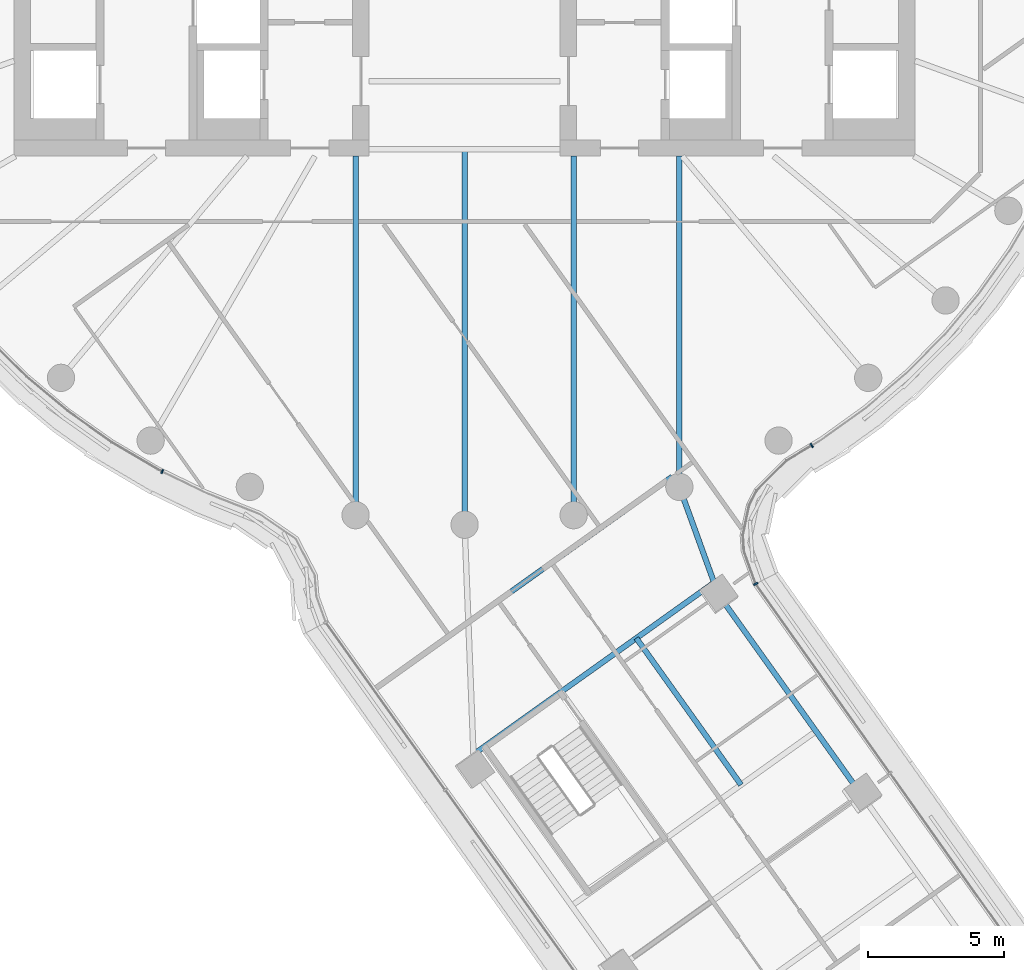
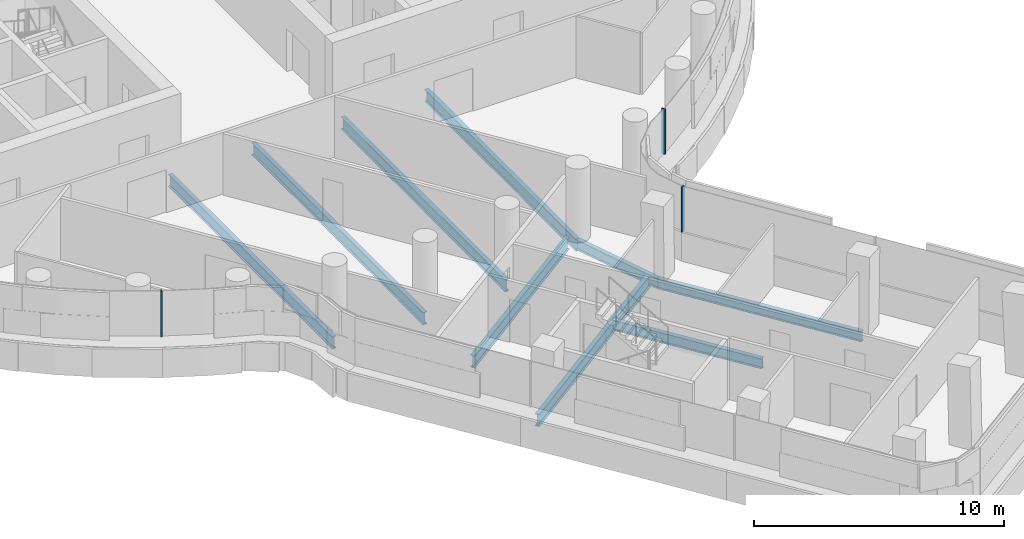
# One storey, part 6 of 31: 9 beams, 3 members, 2 elements without a shape of their own.
"""IFC4 building model written with IfcOpenShell, lengths in metres."""

from ifc_helpers import new_model, si_unit, direction, frame, origin, origin_2d, place, context, subcontext, project, spatial, rectangle, i_section, extrude, material, layer, layer_set, material_profile, profile_set, type_object, element, aggregate, save


model = new_model("IFC4")

# Units and contexts
model_context = context("Model", 3, precision=1e-05, world=origin(), true_north=direction((0.0, 1.0)))
body_context = subcontext(model_context, "Body", "Model", "MODEL_VIEW")
ifc_project = project(units=[si_unit("LENGTHUNIT", "METRE"), si_unit("AREAUNIT", "SQUARE_METRE"), si_unit("VOLUMEUNIT", "CUBIC_METRE"), si_unit("PLANEANGLEUNIT", "RADIAN"), si_unit("MASSUNIT", "GRAM", prefix="KILO")], contexts=[model_context])

# Site, building, storey
site_placement = place(None, origin())
site = spatial("IfcSite", under=ifc_project, at=site_placement, CompositionType="ELEMENT")
building_placement = place(site_placement, origin())
building = spatial("IfcBuilding", under=site, at=building_placement, Name="Tamarind Cross Interchange Tower", CompositionType="ELEMENT")
storey_placement = place(building_placement, frame((0.0, 0.0, 163.0)))
storey = spatial("IfcBuildingStorey", under=building, at=storey_placement, Name="L40", CompositionType="ELEMENT", Elevation=163.0)

# Beams
ifc_material_1 = material(Name="Steel Q355B", Category="steel")
ifc_material_profile_1 = material_profile(ifc_material_1, i_section(OverallWidth=0.198974609375, OverallDepth=0.49609375, WebThickness=0.009033203125, FlangeThickness=0.013916015625, FilletRadius=0.012939453125, at=origin_2d()), Name="HN 496x199x9x14")
ifc_profile_set_1 = profile_set([ifc_material_profile_1], Name="Steel Q355B")
beam_type_1 = type_object("IfcBeamType", Name="Composite beam HN 496x199x9x14 Q355B", PredefinedType="BEAM", material=ifc_profile_set_1)
beam_1_placement = place(storey_placement, frame((14.5283203125, -32.884521484375, -0.387939453125), z_axis=(-0.581045727236, 0.813870912898, 0.0), x_axis=(-0.813870912898, -0.581045727236, 0.0)))
element("IfcBeam", 1, at=beam_1_placement, inside=storey, type_object=beam_type_1, Name="Beam S-edgeep3", PredefinedType="BEAM", context=body_context, shape_type="SweptSolid", body=[
    extrude(i_section(OverallWidth=0.198974609375, OverallDepth=0.49609375, WebThickness=0.009033203125, FlangeThickness=0.013916015625, FilletRadius=0.012939453125, at=origin_2d()), origin(), (0.0, 0.0, 1.0), 9.000244140625),
])
beam_2_placement = place(storey_placement, frame((9.298828125, -25.5595703125, -0.387939453125), z_axis=(-0.341168710495, 0.940002080306, 0.0), x_axis=(-0.940002080306, -0.341168710495, 0.0)))
element("IfcBeam", 2, at=beam_2_placement, inside=storey, type_object=beam_type_1, Name="Beam S-linkep", PredefinedType="BEAM", context=body_context, shape_type="SweptSolid", body=[
    extrude(i_section(OverallWidth=0.198974609375, OverallDepth=0.49609375, WebThickness=0.009033203125, FlangeThickness=0.013916015625, FilletRadius=0.012939453125, at=origin_2d()), origin(), (0.0, 0.0, 1.0), 4.198486328125),
])
beam_3_placement = place(storey_placement, frame((6.29052734375, -27.154296875, -0.387939453125), z_axis=(0.581049225779, -0.813868415176, 0.0), x_axis=(0.813868415176, 0.581049225779, 0.0)))
element("IfcBeam", 3, at=beam_3_placement, inside=storey, type_object=beam_type_1, Name="Beam S-stripp", PredefinedType="BEAM", context=body_context, shape_type="SweptSolid", body=[
    extrude(i_section(OverallWidth=0.198974609375, OverallDepth=0.49609375, WebThickness=0.009033203125, FlangeThickness=0.013916015625, FilletRadius=0.012939453125, at=origin_2d()), origin(), (0.0, 0.0, 1.0), 6.60009765625),
])
ifc_material_profile_2 = material_profile(ifc_material_1, i_section(OverallWidth=0.198974609375, OverallDepth=0.595947265625, WebThickness=0.010009765625, FlangeThickness=0.014892578125, FilletRadius=0.012939453125, at=origin_2d()), Name="HN 596x199x10x15")
ifc_profile_set_2 = profile_set([ifc_material_profile_2], Name="Steel Q355B")
beam_type_2 = type_object("IfcBeamType", Name="Composite beam HN 596x199x10x15 Q355B", PredefinedType="BEAM", material=ifc_profile_set_2)
beam_4_placement = place(storey_placement, frame((-3.993896484375, -22.650634765625, -0.43798828125), z_axis=(0.0, 1.0, 0.0), x_axis=(-1.0, 0.0, 0.0)))
element("IfcBeam", 4, at=beam_4_placement, inside=storey, type_object=beam_type_2, Name="Beam HH26", PredefinedType="BEAM", context=body_context, shape_type="SweptSolid", body=[
    extrude(i_section(OverallWidth=0.198974609375, OverallDepth=0.595947265625, WebThickness=0.010009765625, FlangeThickness=0.014892578125, FilletRadius=0.012939453125, at=origin_2d()), origin(), (0.0, 0.0, 1.0), 13.150634765625),
])
beam_5_placement = place(storey_placement, frame((0.0, -23.0, -0.43798828125), z_axis=(0.0, 1.0, 0.0), x_axis=(-1.0, 0.0, 0.0)))
element("IfcBeam", 5, at=beam_5_placement, inside=storey, type_object=beam_type_2, Name="Beam HH27", PredefinedType="BEAM", context=body_context, shape_type="SweptSolid", body=[
    extrude(i_section(OverallWidth=0.198974609375, OverallDepth=0.595947265625, WebThickness=0.010009765625, FlangeThickness=0.014892578125, FilletRadius=0.012939453125, at=origin_2d()), origin(), (0.0, 0.0, 1.0), 13.75),
])
beam_6_placement = place(storey_placement, frame((3.993896484375, -22.650634765625, -0.43798828125), z_axis=(0.0, 1.0, 0.0), x_axis=(-1.0, 0.0, 0.0)))
element("IfcBeam", 6, at=beam_6_placement, inside=storey, type_object=beam_type_2, Name="Beam HH28", PredefinedType="BEAM", context=body_context, shape_type="SweptSolid", body=[
    extrude(i_section(OverallWidth=0.198974609375, OverallDepth=0.595947265625, WebThickness=0.010009765625, FlangeThickness=0.014892578125, FilletRadius=0.012939453125, at=origin_2d()), origin(), (0.0, 0.0, 1.0), 13.150634765625),
])
beam_7_placement = place(storey_placement, frame((7.866455078125, -21.613037109375, -0.43798828125), z_axis=(0.0, 1.0, 0.0), x_axis=(-1.0, 0.0, 0.0)))
element("IfcBeam", 7, at=beam_7_placement, inside=storey, type_object=beam_type_2, Name="Beam HH29", PredefinedType="BEAM", context=body_context, shape_type="SweptSolid", body=[
    extrude(i_section(OverallWidth=0.198974609375, OverallDepth=0.595947265625, WebThickness=0.010009765625, FlangeThickness=0.014892578125, FilletRadius=0.012939453125, at=origin_2d()), origin(), (0.0, 0.0, 1.0), 12.113037109375),
])
ifc_material_profile_3 = material_profile(ifc_material_1, i_section(OverallWidth=0.199951171875, OverallDepth=0.60009765625, WebThickness=0.010986328125, FlangeThickness=0.01708984375, FilletRadius=0.012939453125, at=origin_2d()), Name="HN 600x200x11x17")
ifc_profile_set_3 = profile_set([ifc_material_profile_3], Name="Steel Q355B")
beam_type_3 = type_object("IfcBeamType", Name="Composite beam HN 600x200x11x17 Q355B", PredefinedType="BEAM", material=ifc_profile_set_3)
beam_8_placement = place(storey_placement, frame((0.325439453125, -31.412841796875, -0.43994140625), z_axis=(0.813881195002, 0.58103132482, 0.0), x_axis=(-0.58103132482, 0.813881195002, 0.0)))
element("IfcBeam", 8, at=beam_8_placement, inside=storey, type_object=beam_type_3, Name="Beam S-x298", PredefinedType="BEAM", context=body_context, shape_type="SweptSolid", body=[
    extrude(i_section(OverallWidth=0.199951171875, OverallDepth=0.60009765625, WebThickness=0.010986328125, FlangeThickness=0.01708984375, FilletRadius=0.012939453125, at=origin_2d()), origin(), (0.0, 0.0, 1.0), 10.829833984375),
])
beam_9_placement = place(storey_placement, frame((0.13818359375, -26.5703125, -0.43994140625), z_axis=(0.813889941433, 0.581019073038, 0.0), x_axis=(-0.581019073038, 0.813889941433, 0.0)))
element("IfcBeam", 9, at=beam_9_placement, inside=storey, type_object=beam_type_3, Name="Beam S-x258", PredefinedType="BEAM", context=body_context, shape_type="SweptSolid", body=[
    extrude(i_section(OverallWidth=0.199951171875, OverallDepth=0.60009765625, WebThickness=0.010986328125, FlangeThickness=0.01708984375, FilletRadius=0.012939453125, at=origin_2d()), origin(), (0.0, 0.0, 1.0), 9.17041015625),
])

# Curtain wall, members
ifc_material_2 = material(Name="Aluminium 6063-T6", Category="aluminium")
ifc_layer = layer(ifc_material_2, 0.159912109375)
ifc_layer_set = layer_set([ifc_layer], Name="Aluminium 6063-T6")
curtain_wall_type = type_object("IfcCurtainWallType", Name="Office curtain wall, 9.0 m bays", PredefinedType="NOTDEFINED", material=ifc_layer_set)
curtain_wall_1_placement = place(storey_placement, origin())
curtain_wall_1 = element("IfcCurtainWall", 10, at=curtain_wall_1_placement, inside=storey, type_object=curtain_wall_type, Name="CWS-L40-02", PredefinedType="NOTDEFINED")
ifc_material_profile_4 = material_profile(ifc_material_2, rectangle(XDim=0.06005859375, YDim=0.159912109375, at=origin_2d()), Name="Mullion CW1")
ifc_profile_set_4 = profile_set([ifc_material_profile_4], Name="Aluminium 6063-T6")
member_type = type_object("IfcMemberType", Name="Mullion CW1", PredefinedType="MULLION", material=ifc_profile_set_4)
member_1_placement = place(storey_placement, frame((10.663818359375, -25.169189453125, 1.39990234375), z_axis=(0.0, 0.0, 1.0), x_axis=(-0.462720912924, 0.886504008306, 0.0)))
member_1 = element("IfcMember", 11, at=member_1_placement, type_object=member_type, Name="CWM-L40-02-00", PredefinedType="MULLION", context=body_context, shape_type="SweptSolid", body=[
    extrude(rectangle(XDim=0.06005859375, YDim=0.159912109375, at=origin_2d()), origin(), (0.0, 0.0, 1.0), 2.210205078125),
])
member_2_placement = place(storey_placement, frame((12.71484375, -20.09765625, 1.39990234375), z_axis=(0.0, 0.0, 1.0), x_axis=(0.856156410424, 0.516716751122, 0.0)))
member_2 = element("IfcMember", 12, at=member_2_placement, type_object=member_type, Name="CWM-L40-02-01", PredefinedType="MULLION", context=body_context, shape_type="SweptSolid", body=[
    extrude(rectangle(XDim=0.06005859375, YDim=0.159912109375, at=origin_2d()), origin(), (0.0, 0.0, 1.0), 2.210205078125),
])
aggregate(curtain_wall_1, [member_1, member_2])

# Curtain wall, member
curtain_wall_2_placement = place(storey_placement, origin())
curtain_wall_2 = element("IfcCurtainWall", 13, at=curtain_wall_2_placement, inside=storey, type_object=curtain_wall_type, Name="CWS-L40-14", PredefinedType="NOTDEFINED")
member_3_placement = place(storey_placement, frame((-11.07470703125, -21.053955078125, 1.39990234375), z_axis=(0.0, 0.0, 1.0), x_axis=(0.900272776334, -0.435326231914, 0.0)))
member_3 = element("IfcMember", 14, at=member_3_placement, type_object=member_type, Name="CWM-L40-14-02", PredefinedType="MULLION", context=body_context, shape_type="SweptSolid", body=[
    extrude(rectangle(XDim=0.06005859375, YDim=0.159912109375, at=origin_2d()), origin(), (0.0, 0.0, 1.0), 2.210205078125),
])
aggregate(curtain_wall_2, [member_3])

save(model, "model.ifc")
